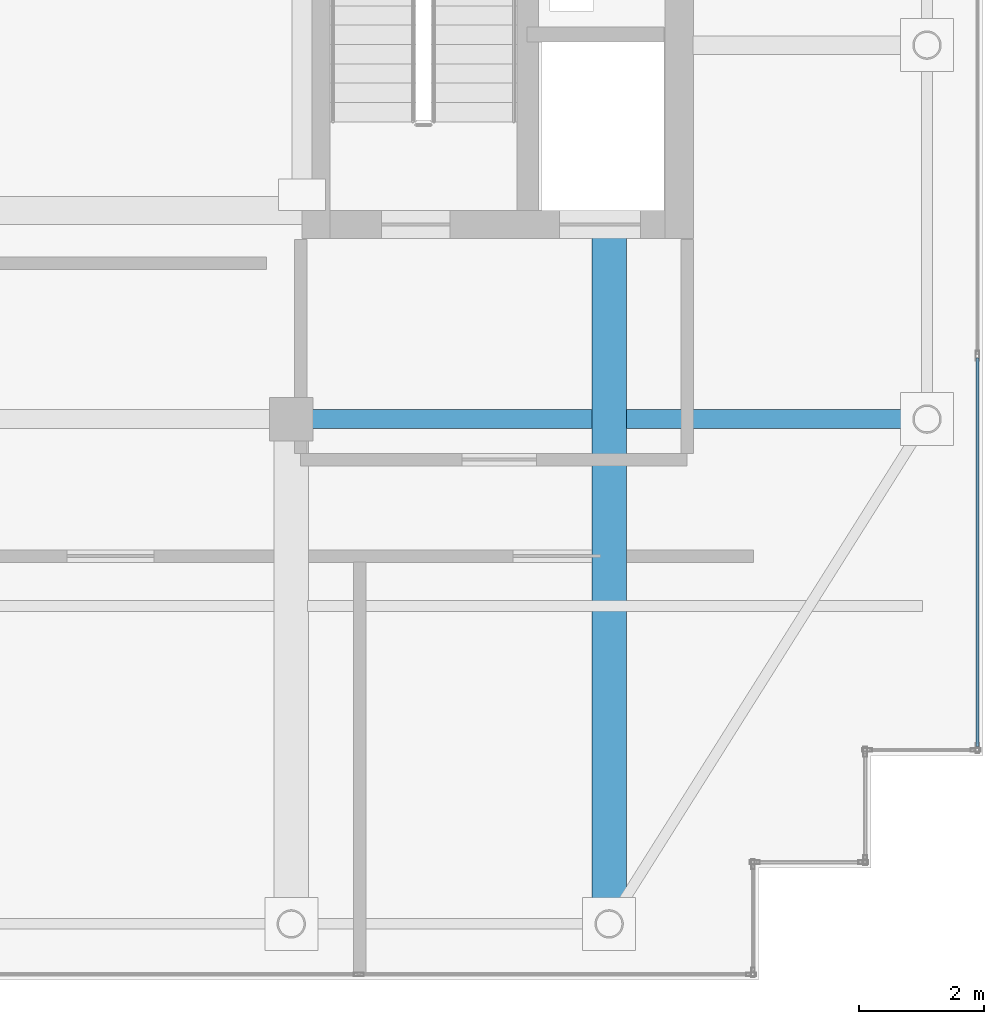
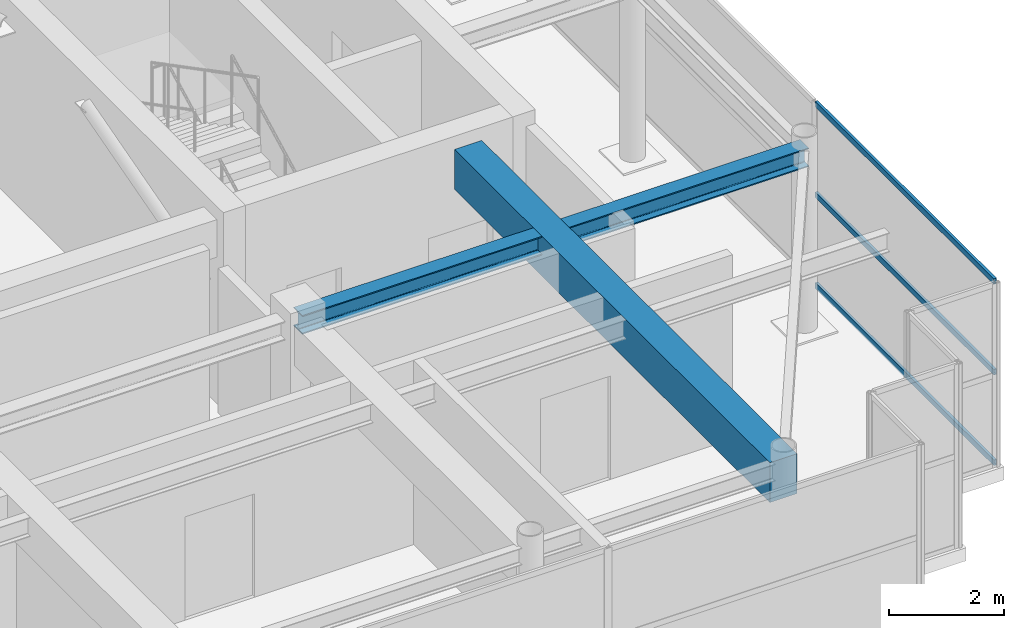
# One storey, part 16 of 32: 3 members, 2 beams, 1 element without a shape of its own.
"""IFC4 building model written with IfcOpenShell, lengths in metres."""

import ifcopenshell
import ifcopenshell.guid

model = None  # the IFC model being written
_history = None  # IfcOwnerHistory: only IFC2X3 demands one
_inside = {}  # id of a spatial element -> (the spatial element, [elements in it])
_under = {}  # id of a project, library or spatial element -> (it, [spatial elements below it])
_declared = {}  # id of a project -> (the project, [libraries it declares])
_typed = {}  # id of a type object -> (the type object, [elements of that type])
_made_of = {}  # id of a material, layer set ... -> (it, [elements and type objects made of it])


def new_model(schema):
    """Start an empty IFC model of exactly this schema.

    Asked for "IFC4X3", IfcOpenShell would pick the latest addendum, in which some entities
    have other attributes; the version numbers below select the first issue.
    IFC2X3 requires an IfcOwnerHistory on every rooted entity: one is made here for all.
    """
    global model, _history
    if schema == "IFC4X3":
        model = ifcopenshell.file(schema_version=(4, 3, 0, 0))
    else:
        model = ifcopenshell.file(schema=schema)
    _inside.clear()
    _under.clear()
    _declared.clear()
    _typed.clear()
    _made_of.clear()
    _history = None
    if model.schema == "IFC2X3":
        org = make("IfcOrganization", Name="unknown")
        user = make(
            "IfcPersonAndOrganization",
            ThePerson=make("IfcPerson", FamilyName="unknown"),
            TheOrganization=org,
        )
        app = make(
            "IfcApplication",
            ApplicationDeveloper=org,
            Version="unknown",
            ApplicationFullName="unknown",
            ApplicationIdentifier="unknown",
        )
        _history = make(
            "IfcOwnerHistory",
            OwningUser=user,
            OwningApplication=app,
            ChangeAction="ADDED",
            CreationDate=0,
        )
    return model


def make(cls, **values):
    """One entity of the class cls with the attributes given. An attribute that is None is left unset."""
    return model.create_entity(
        cls, **{name: value for name, value in values.items() if value is not None}
    )


def rooted(cls, **values):
    """An entity with a GlobalId (a new one), such as an element, a storey or a relation."""
    return make(cls, GlobalId=ifcopenshell.guid.new(), OwnerHistory=_history, **values)


def si_unit(unit_type, name, prefix=None):
    """IfcSIUnit, for example si_unit("LENGTHUNIT", "METRE", prefix="MILLI")."""
    return make("IfcSIUnit", UnitType=unit_type, Prefix=prefix, Name=name)


def assignment(units):
    """IfcUnitAssignment: the units of a project."""
    return None if units is None else make("IfcUnitAssignment", Units=units)


def point(xyz):
    """IfcCartesianPoint."""
    return None if xyz is None else make("IfcCartesianPoint", Coordinates=xyz)


def direction(xyz):
    """IfcDirection."""
    return None if xyz is None else make("IfcDirection", DirectionRatios=xyz)


def frame(location, z_axis=None, x_axis=None):
    """IfcAxis2Placement3D, a coordinate frame: its origin and axes. An axis left out is left unset."""
    return make(
        "IfcAxis2Placement3D",
        Location=point(location),
        Axis=direction(z_axis),
        RefDirection=direction(x_axis),
    )


def frame_2d(location, x_axis=None):
    """IfcAxis2Placement2D, a coordinate frame in the plane: its origin and x axis."""
    return make(
        "IfcAxis2Placement2D", Location=point(location), RefDirection=direction(x_axis)
    )


def origin():
    """The frame at (0, 0, 0) with its axes left unset."""
    return frame((0.0, 0.0, 0.0))


def origin_2d():
    """The frame at (0, 0) in the plane with its x axis left unset."""
    return frame_2d((0.0, 0.0))


def place(relative_to, where):
    """IfcLocalPlacement: puts the frame where relative to a parent placement (None: the world)."""
    return make(
        "IfcLocalPlacement", PlacementRelTo=relative_to, RelativePlacement=where
    )


def context(
    kind, dimensions, precision=None, world=None, true_north=None, identifier=None
):
    """IfcGeometricRepresentationContext, for example the 3D "Model" context."""
    return make(
        "IfcGeometricRepresentationContext",
        ContextIdentifier=identifier,
        ContextType=kind,
        CoordinateSpaceDimension=dimensions,
        Precision=precision,
        WorldCoordinateSystem=world,
        TrueNorth=true_north,
    )


def subcontext(parent, identifier, kind, view, scale=None):
    """IfcGeometricRepresentationSubContext, for example "Body" below "Model"."""
    return make(
        "IfcGeometricRepresentationSubContext",
        ContextIdentifier=identifier,
        ContextType=kind,
        ParentContext=parent,
        TargetScale=scale,
        TargetView=view,
    )


def project(units=None, contexts=None):
    """IfcProject with its units and contexts."""
    return rooted(
        "IfcProject",
        Name="project",
        RepresentationContexts=contexts,
        UnitsInContext=assignment(units),
    )


def spatial(cls, under=None, at=None, **own):
    """A site, building, storey or space (cls), placed at a placement, below another one or the project."""
    s = rooted(cls, ObjectPlacement=at, **own)
    if under is not None:
        _under.setdefault(under.id(), (under, []))[1].append(s)
    return s


def profile(cls, at=None, kind="AREA", **sizes):
    """A parametric profile (cls). Its sizes go by their IFC names, for example OverallWidth=200.0."""
    return make(cls, ProfileType=kind, Position=at, **sizes)


def rectangle(**sizes):
    """IfcRectangleProfileDef."""
    return profile("IfcRectangleProfileDef", **sizes)


def hollow_rectangle(**sizes):
    """IfcRectangleHollowProfileDef."""
    return profile("IfcRectangleHollowProfileDef", **sizes)


def i_section(**sizes):
    """IfcIShapeProfileDef."""
    return profile("IfcIShapeProfileDef", **sizes)


def extrude(swept, where, along, depth):
    """IfcExtrudedAreaSolid: the profile swept, set in the frame where, extruded along a direction by depth."""
    return make(
        "IfcExtrudedAreaSolid",
        SweptArea=swept,
        Position=where,
        ExtrudedDirection=direction(along),
        Depth=depth,
    )


def shape(context_of_items, identifier, shape_type, items):
    """IfcShapeRepresentation: the items that make up one representation, for example the "Body"."""
    return make(
        "IfcShapeRepresentation",
        ContextOfItems=context_of_items,
        RepresentationIdentifier=identifier,
        RepresentationType=shape_type,
        Items=items,
    )


def source(mapping_origin, context_of_items, identifier, shape_type, items):
    """IfcRepresentationMap: a shape defined once, which mapped items show again and again."""
    return make(
        "IfcRepresentationMap",
        MappingOrigin=mapping_origin,
        MappedRepresentation=shape(context_of_items, identifier, shape_type, items),
    )


def transform(
    local_origin,
    x_axis=None,
    y_axis=None,
    z_axis=None,
    scale=None,
    scale2=None,
    scale3=None,
    uniform=True,
):
    """IfcCartesianTransformationOperator3D, or its non-uniform kind. x_axis, y_axis, z_axis: its Axis1, 2, 3."""
    if uniform:
        return make(
            "IfcCartesianTransformationOperator3D",
            Axis1=direction(x_axis),
            Axis2=direction(y_axis),
            LocalOrigin=point(local_origin),
            Scale=scale,
            Axis3=direction(z_axis),
        )
    return make(
        "IfcCartesianTransformationOperator3DnonUniform",
        Axis1=direction(x_axis),
        Axis2=direction(y_axis),
        LocalOrigin=point(local_origin),
        Scale=scale,
        Axis3=direction(z_axis),
        Scale2=scale2,
        Scale3=scale3,
    )


def mapped(mapping_source, mapping_target):
    """IfcMappedItem: shows the shape of a source again, moved by a transform."""
    return make(
        "IfcMappedItem", MappingSource=mapping_source, MappingTarget=mapping_target
    )


def material(Name=None, Category=None):
    """IfcMaterial."""
    return make("IfcMaterial", Name=Name, Category=Category)


def layer(
    of_material, thickness, ventilated=None, Name=None, Category=None, Priority=None
):
    """IfcMaterialLayer: one layer of a wall or slab, of a material (None: an air gap)."""
    return make(
        "IfcMaterialLayer",
        Material=of_material,
        LayerThickness=thickness,
        IsVentilated=ventilated,
        Name=Name,
        Category=Category,
        Priority=Priority,
    )


def layer_set(layers, Name=None):
    """IfcMaterialLayerSet."""
    return make("IfcMaterialLayerSet", MaterialLayers=layers, LayerSetName=Name)


def material_profile(
    of_material, cross_section, Name=None, Category=None, Priority=None
):
    """IfcMaterialProfile: a cross section and its material."""
    return make(
        "IfcMaterialProfile",
        Name=Name,
        Material=of_material,
        Profile=cross_section,
        Priority=Priority,
        Category=Category,
    )


def profile_set(profiles, Name=None, composite=None):
    """IfcMaterialProfileSet."""
    return make(
        "IfcMaterialProfileSet",
        Name=Name,
        MaterialProfiles=profiles,
        CompositeProfile=composite,
    )


def made_of(thing, what):
    """Note that an element or type object is made of a material, layer set ...; save() writes the relation."""
    if what is not None:
        _made_of.setdefault(what.id(), (what, []))[1].append(thing)
    return thing


def type_object(cls, material=None, **own):
    """A type object (cls), such as IfcWallType, which elements share."""
    return made_of(rooted(cls, **own), material)


def element(
    cls,
    number,
    at=None,
    inside=None,
    cuts=None,
    type_object=None,
    material=None,
    context=None,
    identifier="Body",
    shape_type=None,
    held_by="IfcProductDefinitionShape",
    body=None,
    shapes=None,
    **own,
):
    """One element of the class cls, such as IfcWall. Its Tag is "e" and its number.

    at: its placement. inside: the storey or other place that contains it. cuts: it is an
    opening in that element (IfcRelVoidsElement). A single representation is given by context,
    identifier, shape_type and body (its items); several are given by shapes. held_by: the class
    of the entity that holds the representations. save() writes the other relations.
    """
    e = rooted(cls, Tag="e%d" % number, ObjectPlacement=at, **own)
    if body is not None:
        shapes = [shape(context, identifier, shape_type, body)]
    if shapes is not None:
        e.Representation = make(held_by, Representations=shapes)
    if inside is not None:
        _inside.setdefault(inside.id(), (inside, []))[1].append(e)
    if cuts is not None:
        rooted(
            "IfcRelVoidsElement", RelatingBuildingElement=cuts, RelatedOpeningElement=e
        )
    if type_object is not None:
        _typed.setdefault(type_object.id(), (type_object, []))[1].append(e)
    return made_of(e, material)


def aggregate(whole, parts):
    """IfcRelAggregates: a whole, such as a stair, and the parts it consists of."""
    return rooted("IfcRelAggregates", RelatingObject=whole, RelatedObjects=parts)


def save(model, path):
    """Write the relations noted so far, then the file.

    IfcRelAggregates (storeys below a building ...), IfcRelContainedInSpatialStructure (elements
    in a storey), IfcRelDefinesByType, IfcRelAssociatesMaterial and IfcRelDeclares: one each for
    every whole, place, type object, material and project.
    """
    for whole, parts in _under.values():
        aggregate(whole, parts)
    for where, things in _inside.values():
        rooted(
            "IfcRelContainedInSpatialStructure",
            RelatedElements=things,
            RelatingStructure=where,
        )
    for kind, things in _typed.values():
        rooted("IfcRelDefinesByType", RelatedObjects=things, RelatingType=kind)
    for what, things in _made_of.values():
        rooted("IfcRelAssociatesMaterial", RelatedObjects=things, RelatingMaterial=what)
    for by, libraries in _declared.values():
        rooted("IfcRelDeclares", RelatingContext=by, RelatedDefinitions=libraries)
    model.write(path)


model = new_model("IFC4")

# Units and contexts
model_context = context("Model", 3, precision=1e-05, world=origin(), true_north=direction((0.0, 1.0)))
body_context = subcontext(model_context, "Body", "Model", "MODEL_VIEW")
ifc_project = project(units=[si_unit("LENGTHUNIT", "METRE"), si_unit("AREAUNIT", "SQUARE_METRE"), si_unit("VOLUMEUNIT", "CUBIC_METRE"), si_unit("PLANEANGLEUNIT", "RADIAN"), si_unit("MASSUNIT", "GRAM", prefix="KILO")], contexts=[model_context])

# Site, building, storey
site_placement = place(None, origin())
site = spatial("IfcSite", under=ifc_project, at=site_placement, CompositionType="ELEMENT")
building_placement = place(site_placement, origin())
building = spatial("IfcBuilding", under=site, at=building_placement, Name="Khoralis Quay Care Tower", CompositionType="ELEMENT")
storey_placement = place(building_placement, frame((0.0, 0.0, 293.699951171875)))
storey = spatial("IfcBuildingStorey", under=building, at=storey_placement, Name="L77", CompositionType="ELEMENT", Elevation=293.699951171875)

# Beams
ifc_material_1 = material(Name="Steel S355", Category="steel")
ifc_material_profile_1 = material_profile(ifc_material_1, i_section(OverallWidth=0.300048828125, OverallDepth=0.39990234375, WebThickness=0.013427734375, FlangeThickness=0.02392578125, FilletRadius=0.027099609375, at=origin_2d()), Name="Steel S355")
ifc_profile_set_1 = profile_set([ifc_material_profile_1], Name="Steel S355")
beam_type_1 = type_object("IfcBeamType", Name="BM-HEB400", PredefinedType="BEAM", material=ifc_profile_set_1)
shared_shape_1 = source(origin(), body_context, "Body", "SweptSolid", [
    extrude(i_section(OverallWidth=0.300048828125, OverallDepth=0.39990234375, WebThickness=0.013427734375, FlangeThickness=0.02392578125, FilletRadius=0.027099609375, at=origin_2d()), origin(), (0.0, 0.0, 1.0), 10.2001953125),
])
beam_1_placement = place(storey_placement, frame((30.89990234375, 12.0, 3.719970703125), z_axis=(1.0, 0.0, 0.0), x_axis=(0.0, 1.0, 0.0)))
element("IfcBeam", 1, at=beam_1_placement, inside=storey, type_object=beam_type_1, Name="BM-TGXE-L77-120", PredefinedType="BEAM", context=body_context, shape_type="MappedRepresentation", body=[
    mapped(shared_shape_1, transform((0.0, 0.0, 0.0), scale=1.0)),
])
ifc_material_2 = material(Name="Concrete C50/60", Category="concrete")
ifc_material_profile_2 = material_profile(ifc_material_2, rectangle(XDim=0.550048828125, YDim=0.85009765625, at=origin_2d()), Name="Concrete C50/60")
ifc_profile_set_2 = profile_set([ifc_material_profile_2], Name="Concrete C50/60")
beam_type_2 = type_object("IfcBeamType", Name="BM-RC550X850", PredefinedType="BEAM", material=ifc_profile_set_2)
shared_shape_2 = source(origin(), body_context, "Body", "SweptSolid", [
    extrude(rectangle(XDim=0.550048828125, YDim=0.85009765625, at=origin_2d()), origin(), (0.0, 0.0, 1.0), 11.002197265625),
])
beam_2_placement = place(storey_placement, frame((36.0, 3.89990234375, 3.4951171875), z_axis=(0.0, 1.0, 0.0), x_axis=(-1.0, 0.0, 0.0)))
element("IfcBeam", 2, at=beam_2_placement, inside=storey, type_object=beam_type_2, Name="BM-TGYS-L77-360", PredefinedType="BEAM", context=body_context, shape_type="MappedRepresentation", body=[
    mapped(shared_shape_2, transform((0.0, 0.0, 0.0), scale=1.0)),
])

# Curtain wall, members
ifc_material_3 = material(Name="Pale anodised aluminium", Category="aluminium")
ifc_layer = layer(ifc_material_3, 0.199951171875)
ifc_layer_set = layer_set([ifc_layer], Name="Pale anodised aluminium")
curtain_wall_type = type_object("IfcCurtainWallType", Name="CW-SYS-LANTERN", PredefinedType="NOTDEFINED", material=ifc_layer_set)
curtain_wall_placement = place(storey_placement, origin())
curtain_wall = element("IfcCurtainWall", 3, at=curtain_wall_placement, inside=storey, type_object=curtain_wall_type, Name="L77 Unitised Curtain Wall CW-LN-L77-06", PredefinedType="NOTDEFINED")
ifc_material_profile_3 = material_profile(ifc_material_3, hollow_rectangle(XDim=0.054931640625, YDim=0.1201171875, WallThickness=0.00390625, at=origin_2d()), Name="Pale anodised aluminium")
ifc_profile_set_3 = profile_set([ifc_material_profile_3], Name="Pale anodised aluminium")
member_type = type_object("IfcMemberType", Name="CW-TRN-120", PredefinedType="USERDEFINED", material=ifc_profile_set_3)
shared_shape_3 = source(origin(), body_context, "Body", "SweptSolid", [
    extrude(hollow_rectangle(XDim=0.054931640625, YDim=0.1201171875, WallThickness=0.00390625, at=origin_2d()), origin(), (0.0, 0.0, 1.0), 6.23388671875),
])
member_1_placement = place(storey_placement, frame((41.909912109375, 6.75, 0.030029296875), z_axis=(0.0, 1.0, 0.0), x_axis=(-1.0, 0.0, 0.0)))
member_1 = element("IfcMember", 4, at=member_1_placement, type_object=member_type, Name="CW5 transom 1.1", ObjectType="TRANSOM", PredefinedType="USERDEFINED", context=body_context, shape_type="MappedRepresentation", body=[
    mapped(shared_shape_3, transform((0.0, 0.0, 0.0), scale=1.0)),
])
member_2_placement = place(storey_placement, frame((41.909912109375, 6.75, 1.9599609375), z_axis=(0.0, 1.0, 0.0), x_axis=(-1.0, 0.0, 0.0)))
member_2 = element("IfcMember", 5, at=member_2_placement, type_object=member_type, Name="CW5 transom 1.2", ObjectType="TRANSOM", PredefinedType="USERDEFINED", context=body_context, shape_type="MappedRepresentation", body=[
    mapped(shared_shape_3, transform((0.0, 0.0, 0.0), scale=1.0)),
])
member_3_placement = place(storey_placement, frame((41.909912109375, 6.75, 3.89013671875), z_axis=(0.0, 1.0, 0.0), x_axis=(-1.0, 0.0, 0.0)))
member_3 = element("IfcMember", 6, at=member_3_placement, type_object=member_type, Name="CW5 transom 1.3", ObjectType="TRANSOM", PredefinedType="USERDEFINED", context=body_context, shape_type="MappedRepresentation", body=[
    mapped(shared_shape_3, transform((0.0, 0.0, 0.0), scale=1.0)),
])
aggregate(curtain_wall, [member_1, member_2, member_3])

save(model, "model.ifc")
